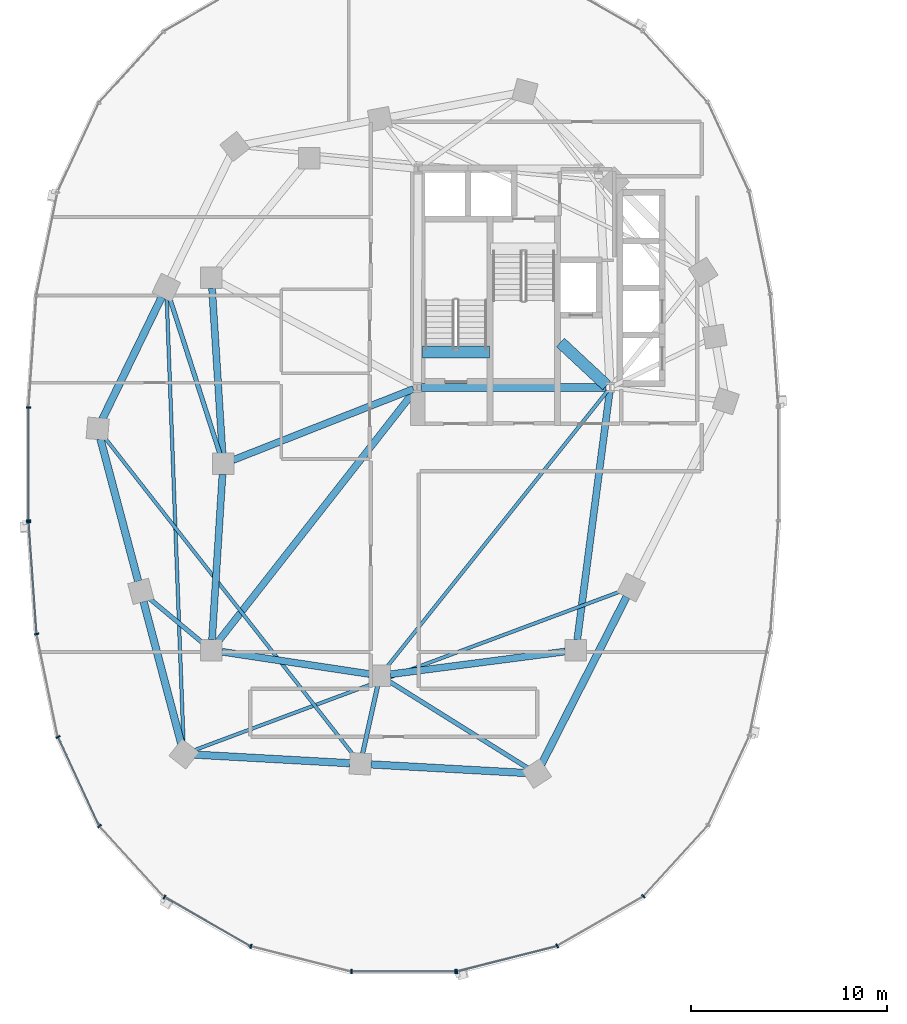
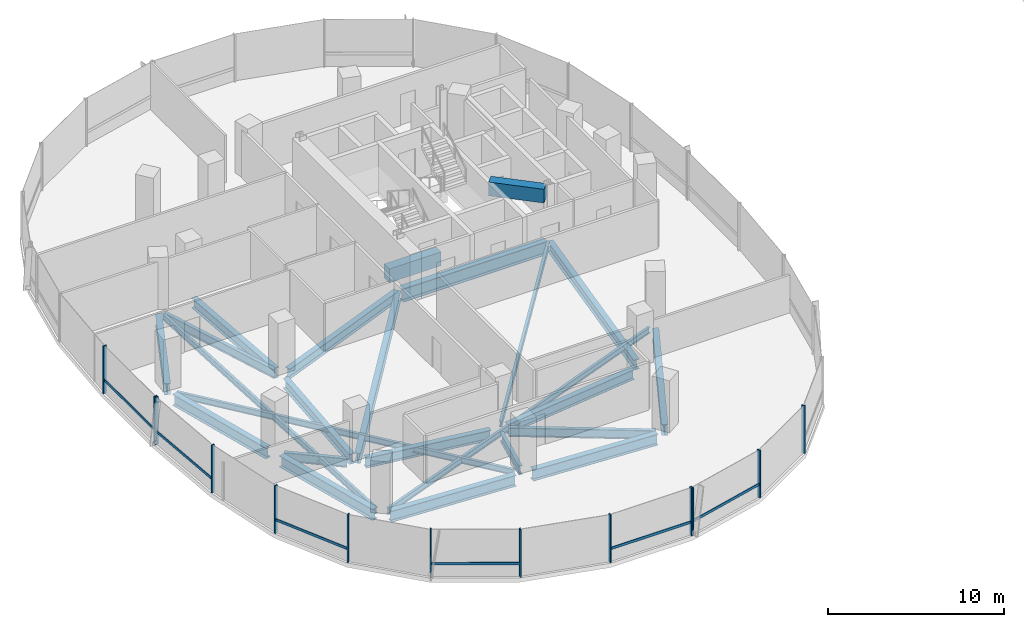
# One storey, part 2 of 21: 24 beams, 19 members, 3 elements without a shape of their own.
"""IFC4 building model written with IfcOpenShell, lengths in metres."""

from ifc_helpers import new_model, si_unit, direction, frame, origin, origin_2d, place, context, subcontext, project, spatial, rectangle, i_section, extrude, material, material_profile, profile_set, type_object, element, aggregate, save


model = new_model("IFC4")

# Units and contexts
model_context = context("Model", 3, precision=1e-05, world=origin(), true_north=direction((0.0, 1.0)))
body_context = subcontext(model_context, "Body", "Model", "MODEL_VIEW")
ifc_project = project(units=[si_unit("LENGTHUNIT", "METRE"), si_unit("AREAUNIT", "SQUARE_METRE"), si_unit("VOLUMEUNIT", "CUBIC_METRE"), si_unit("PLANEANGLEUNIT", "RADIAN"), si_unit("MASSUNIT", "GRAM", prefix="KILO"), si_unit("THERMODYNAMICTEMPERATUREUNIT", "KELVIN"), si_unit("POWERUNIT", "WATT")], contexts=[model_context])

# Site, building, storey
site_placement = place(None, origin())
site = spatial("IfcSite", under=ifc_project, at=site_placement, CompositionType="ELEMENT")
building_placement = place(site_placement, origin())
building = spatial("IfcBuilding", under=site, at=building_placement, Name="Cundina Bronze Exchange", CompositionType="ELEMENT")
storey_placement = place(building_placement, frame((0.0, 0.0, 110.60009765625)))
storey = spatial("IfcBuildingStorey", under=building, at=storey_placement, Name="L28", CompositionType="ELEMENT", Elevation=110.60009765625)

# Beams
ifc_material_1 = material(Name="Concrete C60/75", Category="concrete")
ifc_material_profile_1 = material_profile(ifc_material_1, rectangle(XDim=0.60009765625, YDim=0.949951171875, at=origin_2d()), Name="RC600X950", Category="concrete")
ifc_profile_set_1 = profile_set([ifc_material_profile_1], Name="Concrete C60/75")
beam_type_1 = type_object("IfcBeamType", Name="BM-COUP-RC950", PredefinedType="LINTEL", material=ifc_profile_set_1)
beam_1_placement = place(storey_placement, frame((-31.02001953125, 5.719970703125, -0.47509765625), z_axis=(1.0, 0.0, 0.0), x_axis=(0.0, 1.0, 0.0)))
element("IfcBeam", 1, at=beam_1_placement, inside=storey, type_object=beam_type_1, Name="L28 Stair W1 Landing Header Beam", PredefinedType="LINTEL", context=body_context, shape_type="SweptSolid", body=[
    extrude(rectangle(XDim=0.60009765625, YDim=0.949951171875, at=origin_2d()), origin(), (0.0, 0.0, 1.0), 3.39990234375),
])
beam_2_placement = place(storey_placement, frame((-23.989990234375, 6.199951171875, 2.824951171875), z_axis=(0.731490439815, -0.681851696822, 0.0), x_axis=(0.681851696822, 0.731490439815, 0.0)))
element("IfcBeam", 2, at=beam_2_placement, inside=storey, type_object=beam_type_1, Name="L28 W Core Shear Coupling Lintel Beam", PredefinedType="LINTEL", context=body_context, shape_type="SweptSolid", body=[
    extrude(rectangle(XDim=0.60009765625, YDim=0.949951171875, at=origin_2d()), origin(), (0.0, 0.0, 1.0), 3.226318359375),
])
ifc_material_2 = material(Name="Steel ASTM A992 Grade 50", Category="steel")
ifc_material_profile_2 = material_profile(ifc_material_2, i_section(OverallWidth=0.22998046875, OverallDepth=0.616943359375, WebThickness=0.01318359375, FlangeThickness=0.022216796875, FilletRadius=0.013916015625, at=origin_2d()), Name="W24X94", Category="steel")
ifc_profile_set_2 = profile_set([ifc_material_profile_2], Name="Steel ASTM A992 Grade 50")
beam_type_2 = type_object("IfcBeamType", Name="BM-FLR-W24B", PredefinedType="BEAM", material=ifc_profile_set_2)
beam_3_placement = place(storey_placement, frame((-41.364990234375, 0.51220703125, -0.608642578125), z_axis=(-0.306710777581, 0.951802762612, 0.0), x_axis=(-0.951802762612, -0.306710777581, 0.0)))
element("IfcBeam", 3, at=beam_3_placement, inside=storey, type_object=beam_type_2, Name="L28 Leg W Radial Floor Beam 07", PredefinedType="BEAM", context=body_context, shape_type="SweptSolid", body=[
    extrude(i_section(OverallWidth=0.22998046875, OverallDepth=0.616943359375, WebThickness=0.01318359375, FlangeThickness=0.022216796875, FilletRadius=0.013916015625, at=origin_2d()), origin(), (0.0, 0.0, 1.0), 8.37939453125),
])
beam_4_placement = place(storey_placement, frame((-42.21337890625, -9.155517578125, -0.608642578125), z_axis=(-0.768243451945, 0.640157791911, 0.0), x_axis=(-0.640157791911, -0.768243451945, 0.0)))
element("IfcBeam", 4, at=beam_4_placement, inside=storey, type_object=beam_type_2, Name="L28 Leg W Radial Floor Beam 09", PredefinedType="BEAM", context=body_context, shape_type="SweptSolid", body=[
    extrude(i_section(OverallWidth=0.22998046875, OverallDepth=0.616943359375, WebThickness=0.01318359375, FlangeThickness=0.022216796875, FilletRadius=0.013916015625, at=origin_2d()), origin(), (0.0, 0.0, 1.0), 3.610107421875),
])
beam_5_placement = place(storey_placement, frame((-33.316650390625, -11.3251953125, -0.608642578125), z_axis=(-0.216930457819, -0.976187060184, 0.0), x_axis=(0.976187060184, -0.216930457819, 0.0)))
element("IfcBeam", 5, at=beam_5_placement, inside=storey, type_object=beam_type_2, Name="L28 Leg W Radial Floor Beam 11", PredefinedType="BEAM", context=body_context, shape_type="SweptSolid", body=[
    extrude(i_section(OverallWidth=0.22998046875, OverallDepth=0.616943359375, WebThickness=0.01318359375, FlangeThickness=0.022216796875, FilletRadius=0.013916015625, at=origin_2d()), origin(), (0.0, 0.0, 1.0), 3.533935546875),
])
beam_6_placement = place(storey_placement, frame((-32.743896484375, -11.085205078125, -0.608642578125), z_axis=(0.848003227047, -0.529991063055, 0.0), x_axis=(0.529991063055, 0.848003227047, 0.0)))
element("IfcBeam", 6, at=beam_6_placement, inside=storey, type_object=beam_type_2, Name="L28 Leg W Radial Floor Beam 12", PredefinedType="BEAM", context=body_context, shape_type="SweptSolid", body=[
    extrude(i_section(OverallWidth=0.22998046875, OverallDepth=0.616943359375, WebThickness=0.01318359375, FlangeThickness=0.022216796875, FilletRadius=0.013916015625, at=origin_2d()), origin(), (0.0, 0.0, 1.0), 8.358154296875),
])
ifc_material_profile_3 = material_profile(ifc_material_2, i_section(OverallWidth=0.178955078125, OverallDepth=0.409912109375, WebThickness=0.0087890625, FlangeThickness=0.014404296875, FilletRadius=0.010986328125, at=origin_2d()), Name="W16X45", Category="steel")
ifc_profile_set_3 = profile_set([ifc_material_profile_3], Name="Steel ASTM A992 Grade 50")
beam_type_3 = type_object("IfcBeamType", Name="BM-JST-W16", PredefinedType="JOIST", material=ifc_profile_set_3)
beam_7_placement = place(storey_placement, frame((-21.577392578125, 3.740478515625, -0.505126953125), z_axis=(-0.62436887964, -0.781129632095, 0.0), x_axis=(0.781129632095, -0.62436887964, 0.0)))
element("IfcBeam", 7, at=beam_7_placement, inside=storey, type_object=beam_type_3, Name="L28 W Interior Core-to-Ring Joist 2", PredefinedType="JOIST", context=body_context, shape_type="SweptSolid", body=[
    extrude(i_section(OverallWidth=0.178955078125, OverallDepth=0.409912109375, WebThickness=0.0087890625, FlangeThickness=0.014404296875, FilletRadius=0.010986328125, at=origin_2d()), origin(), (0.0, 0.0, 1.0), 18.076904296875),
])
beam_8_placement = place(storey_placement, frame((-44.07958984375, 8.46240234375, -0.505126953125), z_axis=(0.03778951385, -0.999285721224, 0.0), x_axis=(0.999285721224, 0.03778951385, 0.0)))
element("IfcBeam", 8, at=beam_8_placement, inside=storey, type_object=beam_type_3, Name="L28 Leg W Lobe Floor Joist 07-10", PredefinedType="JOIST", context=body_context, shape_type="SweptSolid", body=[
    extrude(i_section(OverallWidth=0.178955078125, OverallDepth=0.409912109375, WebThickness=0.0087890625, FlangeThickness=0.014404296875, FilletRadius=0.010986328125, at=origin_2d()), origin(), (0.0, 0.0, 1.0), 22.7412109375),
])
beam_9_placement = place(storey_placement, frame((-47.268310546875, 1.37646484375, -0.505126953125), z_axis=(0.616815348306, -0.787107887201, 0.0), x_axis=(0.787107887201, 0.616815348306, 0.0)))
element("IfcBeam", 9, at=beam_9_placement, inside=storey, type_object=beam_type_3, Name="L28 Leg W Lobe Floor Joist 08-11", PredefinedType="JOIST", context=body_context, shape_type="SweptSolid", body=[
    extrude(i_section(OverallWidth=0.178955078125, OverallDepth=0.409912109375, WebThickness=0.0087890625, FlangeThickness=0.014404296875, FilletRadius=0.010986328125, at=origin_2d()), origin(), (0.0, 0.0, 1.0), 20.64892578125),
])
beam_10_placement = place(storey_placement, frame((-42.69580078125, -14.6123046875, -0.505126953125), z_axis=(0.937127917421, 0.348986054721, 0.0), x_axis=(-0.348986054721, 0.937127917421, 0.0)))
element("IfcBeam", 10, at=beam_10_placement, inside=storey, type_object=beam_type_3, Name="L28 Leg W Lobe Floor Joist 10-13", PredefinedType="JOIST", context=body_context, shape_type="SweptSolid", body=[
    extrude(i_section(OverallWidth=0.178955078125, OverallDepth=0.409912109375, WebThickness=0.0087890625, FlangeThickness=0.014404296875, FilletRadius=0.010986328125, at=origin_2d()), origin(), (0.0, 0.0, 1.0), 23.2802734375),
])
ifc_material_profile_4 = material_profile(ifc_material_2, i_section(OverallWidth=0.35498046875, OverallDepth=0.695068359375, WebThickness=0.015380859375, FlangeThickness=0.02490234375, FilletRadius=0.01806640625, at=origin_2d()), Name="W27X146", Category="steel")
ifc_profile_set_4 = profile_set([ifc_material_profile_4], Name="Steel ASTM A992 Grade 50")
beam_type_4 = type_object("IfcBeamType", Name="BM-RING-W27", PredefinedType="USERDEFINED", material=ifc_profile_set_4)
for number, where, z_axis, x_axis, name in (
    (11, (-41.76611328125, 8.963134765625, -0.647705078125), (0.06303715519, -0.998011180832, 0.0), (0.998011180832, 0.06303715519, 0.0), "L28 W Inner Structural Ring Girder 03"),
    (12, (-41.23388671875, -0.536865234375, -0.647705078125), (-0.06303715519, -0.998011180832, 0.0), (0.998011180832, -0.06303715519, 0.0), "L28 W Inner Structural Ring Girder 04"),
):
    element("IfcBeam", number, at=place(storey_placement, frame(where, z_axis=z_axis, x_axis=x_axis)), inside=storey, type_object=beam_type_4, Name=name, ObjectType="GIRDER", PredefinedType="USERDEFINED", context=body_context, shape_type="SweptSolid", body=[
        extrude(i_section(OverallWidth=0.35498046875, OverallDepth=0.695068359375, WebThickness=0.015380859375, FlangeThickness=0.02490234375, FilletRadius=0.01806640625, at=origin_2d()), origin(), (0.0, 0.0, 1.0), 8.443115234375),
    ])
beam_11_placement = place(storey_placement, frame((-41.26806640625, -9.580322265625, -0.647705078125), z_axis=(0.988767489563, -0.149461873341, 0.0), x_axis=(0.149461873341, 0.988767489563, 0.0)))
element("IfcBeam", 13, at=beam_11_placement, inside=storey, type_object=beam_type_4, Name="L28 W Inner Structural Ring Girder 05", ObjectType="GIRDER", PredefinedType="USERDEFINED", context=body_context, shape_type="SweptSolid", body=[
    extrude(i_section(OverallWidth=0.35498046875, OverallDepth=0.695068359375, WebThickness=0.015380859375, FlangeThickness=0.02490234375, FilletRadius=0.01806640625, at=origin_2d()), origin(), (0.0, 0.0, 1.0), 7.621826171875),
])
beam_12_placement = place(storey_placement, frame((-32.66650390625, -10.730712890625, -0.647705078125), z_axis=(0.991654577907, 0.128923225666, 0.0), x_axis=(-0.128923225666, 0.991654577907, 0.0)))
element("IfcBeam", 14, at=beam_12_placement, inside=storey, type_object=beam_type_4, Name="L28 W Inner Structural Ring Girder 06", ObjectType="GIRDER", PredefinedType="USERDEFINED", context=body_context, shape_type="SweptSolid", body=[
    extrude(i_section(OverallWidth=0.35498046875, OverallDepth=0.695068359375, WebThickness=0.015380859375, FlangeThickness=0.02490234375, FilletRadius=0.01806640625, at=origin_2d()), origin(), (0.0, 0.0, 1.0), 9.00830078125),
])
beam_13_placement = place(storey_placement, frame((-23.13037109375, -8.966552734375, -0.647705078125), z_axis=(0.129507526533, 0.99157843894, 0.0), x_axis=(-0.99157843894, 0.129507526533, 0.0)))
element("IfcBeam", 15, at=beam_13_placement, inside=storey, type_object=beam_type_4, Name="L28 W Inner Structural Ring Girder 07", ObjectType="GIRDER", PredefinedType="USERDEFINED", context=body_context, shape_type="SweptSolid", body=[
    extrude(i_section(OverallWidth=0.35498046875, OverallDepth=0.695068359375, WebThickness=0.015380859375, FlangeThickness=0.02490234375, FilletRadius=0.01806640625, at=origin_2d()), origin(), (0.0, 0.0, 1.0), 12.77197265625),
])
beam_14_placement = place(storey_placement, frame((-31.48974609375, 3.8251953125, -0.647705078125), z_axis=(-0.930413235418, -0.366512225388, 0.0), x_axis=(0.366512225388, -0.930413235418, 0.0)))
element("IfcBeam", 16, at=beam_14_placement, inside=storey, type_object=beam_type_4, Name="L28 W Core-to-Waist Tie Beam 1", ObjectType="GIRDER", PredefinedType="USERDEFINED", context=body_context, shape_type="SweptSolid", body=[
    extrude(i_section(OverallWidth=0.35498046875, OverallDepth=0.695068359375, WebThickness=0.015380859375, FlangeThickness=0.02490234375, FilletRadius=0.01806640625, at=origin_2d()), origin(), (0.0, 0.0, 1.0), 9.8984375),
])
beam_15_placement = place(storey_placement, frame((-31.42578125, 3.739501953125, -0.647705078125), z_axis=(-0.616789275748, -0.787128318206, 0.0), x_axis=(0.787128318206, -0.616789275748, 0.0)))
element("IfcBeam", 17, at=beam_15_placement, inside=storey, type_object=beam_type_4, Name="L28 W Core-to-Waist Tie Beam 3", ObjectType="GIRDER", PredefinedType="USERDEFINED", context=body_context, shape_type="SweptSolid", body=[
    extrude(i_section(OverallWidth=0.35498046875, OverallDepth=0.695068359375, WebThickness=0.015380859375, FlangeThickness=0.02490234375, FilletRadius=0.01806640625, at=origin_2d()), origin(), (0.0, 0.0, 1.0), 16.281982421875),
])
ifc_material_profile_5 = material_profile(ifc_material_2, i_section(OverallWidth=0.381103515625, OverallDepth=0.77294921875, WebThickness=0.0166015625, FlangeThickness=0.027099609375, FilletRadius=0.01904296875, at=origin_2d()), Name="W30X173", Category="steel")
ifc_profile_set_5 = profile_set([ifc_material_profile_5], Name="Steel ASTM A992 Grade 50")
beam_type_5 = type_object("IfcBeamType", Name="BM-RING-W30", PredefinedType="USERDEFINED", material=ifc_profile_set_5)
beam_16_placement = place(storey_placement, frame((-44.335205078125, 8.51611328125, -0.6865234375), z_axis=(-0.437193894283, -0.899367276924, 0.0), x_axis=(0.899367276924, -0.437193894283, 0.0)))
element("IfcBeam", 18, at=beam_16_placement, inside=storey, type_object=beam_type_5, Name="L28 W Perimeter Ring Girder 07", ObjectType="GIRDER", PredefinedType="USERDEFINED", context=body_context, shape_type="SweptSolid", body=[
    extrude(i_section(OverallWidth=0.381103515625, OverallDepth=0.77294921875, WebThickness=0.0166015625, FlangeThickness=0.027099609375, FilletRadius=0.01904296875, at=origin_2d()), origin(), (0.0, 0.0, 1.0), 6.929443359375),
])
for number, where, z_axis, x_axis, name in (
    (19, (-47.462158203125, 1.280029296875, -0.6865234375), (0.256209719931, -0.966621218168, 0.0), (0.966621218168, 0.256209719931, 0.0), "L28 W Perimeter Ring Girder 08"),
    (20, (-45.26220703125, -7.02001953125, -0.6865234375), (0.256209719931, -0.966621218168, 0.0), (0.966621218168, 0.256209719931, 0.0), "L28 W Perimeter Ring Girder 09"),
):
    element("IfcBeam", number, at=place(storey_placement, frame(where, z_axis=z_axis, x_axis=x_axis)), inside=storey, type_object=beam_type_5, Name=name, ObjectType="GIRDER", PredefinedType="USERDEFINED", context=body_context, shape_type="SweptSolid", body=[
        extrude(i_section(OverallWidth=0.381103515625, OverallDepth=0.77294921875, WebThickness=0.0166015625, FlangeThickness=0.027099609375, FilletRadius=0.01904296875, at=origin_2d()), origin(), (0.0, 0.0, 1.0), 7.5107421875),
    ])
for number, where, z_axis, x_axis, name in (
    (21, (-42.662841796875, -14.829833984375, -0.6865234375), (0.99845950136, -0.055485350721, 0.0), (0.055485350721, 0.99845950136, 0.0), "L28 W Perimeter Ring Girder 10"),
    (22, (-33.662841796875, -15.329833984375, -0.6865234375), (0.99845950136, -0.055485350721, 0.0), (0.055485350721, 0.99845950136, 0.0), "L28 W Perimeter Ring Girder 11"),
):
    element("IfcBeam", number, at=place(storey_placement, frame(where, z_axis=z_axis, x_axis=x_axis)), inside=storey, type_object=beam_type_5, Name=name, ObjectType="GIRDER", PredefinedType="USERDEFINED", context=body_context, shape_type="SweptSolid", body=[
        extrude(i_section(OverallWidth=0.381103515625, OverallDepth=0.77294921875, WebThickness=0.0166015625, FlangeThickness=0.027099609375, FilletRadius=0.01904296875, at=origin_2d()), origin(), (0.0, 0.0, 1.0), 7.937744140625),
    ])
beam_17_placement = place(storey_placement, frame((-24.956298828125, -15.3203125, -0.6865234375), z_axis=(0.452832332744, 0.891595692241, 0.0), x_axis=(-0.891595692241, 0.452832332744, 0.0)))
element("IfcBeam", 23, at=beam_17_placement, inside=storey, type_object=beam_type_5, Name="L28 W Perimeter Ring Girder 12", ObjectType="GIRDER", PredefinedType="USERDEFINED", context=body_context, shape_type="SweptSolid", body=[
    extrude(i_section(OverallWidth=0.381103515625, OverallDepth=0.77294921875, WebThickness=0.0166015625, FlangeThickness=0.027099609375, FilletRadius=0.01904296875, at=origin_2d()), origin(), (0.0, 0.0, 1.0), 9.578857421875),
])
ifc_material_profile_6 = material_profile(ifc_material_2, i_section(OverallWidth=0.41796875, OverallDepth=0.927001953125, WebThickness=0.019287109375, FlangeThickness=0.031982421875, FilletRadius=0.02392578125, at=origin_2d()), Name="W36X231", Category="steel")
ifc_profile_set_6 = profile_set([ifc_material_profile_6], Name="Steel ASTM A992 Grade 50")
beam_type_6 = type_object("IfcBeamType", Name="BM-WRN-W36B", PredefinedType="USERDEFINED", material=ifc_profile_set_6)
beam_18_placement = place(storey_placement, frame((-31.095947265625, 3.89990234375, -0.763671875), z_axis=(1.0, 0.0, 0.0), x_axis=(0.0, 1.0, 0.0)))
element("IfcBeam", 24, at=beam_18_placement, inside=storey, type_object=beam_type_6, Name="L28 W Core Perimeter Tie Girder 1", ObjectType="GIRDER", PredefinedType="USERDEFINED", context=body_context, shape_type="SweptSolid", body=[
    extrude(i_section(OverallWidth=0.41796875, OverallDepth=0.927001953125, WebThickness=0.019287109375, FlangeThickness=0.031982421875, FilletRadius=0.02392578125, at=origin_2d()), origin(), (0.0, 0.0, 1.0), 9.44189453125),
])

# Curtain wall, members
ifc_material_3 = material(Name="Anodised Bronze Aluminium 6063-T6", Category="aluminium")
curtain_wall_type = type_object("IfcCurtainWallType", Name="CWS-TRD-MID", PredefinedType="NOTDEFINED", material=ifc_material_3)
curtain_wall_1_placement = place(storey_placement, origin())
curtain_wall_1 = element("IfcCurtainWall", 25, at=curtain_wall_1_placement, inside=storey, type_object=curtain_wall_type, Name="L28 CW-03 Curtain Wall Run CWR-L28-W2", PredefinedType="NOTDEFINED")
ifc_material_profile_7 = material_profile(ifc_material_3, rectangle(XDim=0.074951171875, YDim=0.219970703125, at=origin_2d()), Name="AL75X220", Category="aluminium")
ifc_profile_set_7 = profile_set([ifc_material_profile_7], Name="Anodised Bronze Aluminium 6063-T6")
member_type_1 = type_object("IfcMemberType", Name="CWM-MUL-220", PredefinedType="MULLION", material=ifc_profile_set_7)
member_1_placement = place(storey_placement, frame((-51.1279296875, 2.880615234375, 0.0), z_axis=(0.0, 0.0, 1.0), x_axis=(0.0, -1.0, 0.0)))
member_1 = element("IfcMember", 26, at=member_1_placement, type_object=member_type_1, Name="CW-03 Mullion 7", PredefinedType="MULLION", context=body_context, shape_type="SweptSolid", body=[
    extrude(rectangle(XDim=0.074951171875, YDim=0.219970703125, at=origin_2d()), origin(), (0.0, 0.0, 1.0), 3.2998046875),
])
member_2_placement = place(storey_placement, frame((-51.1279296875, -2.880615234375, 0.0), z_axis=(0.0, 0.0, 1.0), x_axis=(0.0, -1.0, 0.0)))
member_2 = element("IfcMember", 27, at=member_2_placement, type_object=member_type_1, Name="CW-03 End Mullion", PredefinedType="MULLION", context=body_context, shape_type="SweptSolid", body=[
    extrude(rectangle(XDim=0.074951171875, YDim=0.219970703125, at=origin_2d()), origin(), (0.0, 0.0, 1.0), 3.2998046875),
])

curtain_wall_2_placement = place(storey_placement, origin())
curtain_wall_2 = element("IfcCurtainWall", 28, at=curtain_wall_2_placement, inside=storey, type_object=curtain_wall_type, Name="L28 CW-03 Curtain Wall Run CWR-L28-W3", PredefinedType="NOTDEFINED")
member_3_placement = place(storey_placement, frame((-51.12451171875, -2.976318359375, 0.0), z_axis=(0.0, 0.0, 1.0), x_axis=(0.070278787473, -0.997527389113, 0.0)))
member_3 = element("IfcMember", 29, at=member_3_placement, type_object=member_type_1, Name="CW-03 Mullion 1", PredefinedType="MULLION", context=body_context, shape_type="SweptSolid", body=[
    extrude(rectangle(XDim=0.074951171875, YDim=0.219970703125, at=origin_2d()), origin(), (0.0, 0.0, 1.0), 3.2998046875),
])
member_4_placement = place(storey_placement, frame((-50.717041015625, -8.67822265625, 0.0), z_axis=(0.0, 0.0, 1.0), x_axis=(0.201419845156, -0.979505000486, 0.0)))
member_4 = element("IfcMember", 30, at=member_4_placement, type_object=member_type_1, Name="CW-03 Mullion 2", PredefinedType="MULLION", context=body_context, shape_type="SweptSolid", body=[
    extrude(rectangle(XDim=0.074951171875, YDim=0.219970703125, at=origin_2d()), origin(), (0.0, 0.0, 1.0), 3.2998046875),
])
member_5_placement = place(storey_placement, frame((-49.6279296875, -13.931884765625, 0.0), z_axis=(0.0, 0.0, 1.0), x_axis=(0.42087749791, -0.907117485088, 0.0)))
member_5 = element("IfcMember", 31, at=member_5_placement, type_object=member_type_1, Name="CW-03 Mullion 3", PredefinedType="MULLION", context=body_context, shape_type="SweptSolid", body=[
    extrude(rectangle(XDim=0.074951171875, YDim=0.219970703125, at=origin_2d()), origin(), (0.0, 0.0, 1.0), 3.2998046875),
])
member_6_placement = place(storey_placement, frame((-47.508544921875, -18.47705078125, 0.0), z_axis=(0.0, 0.0, 1.0), x_axis=(0.674302387584, -0.738455340626, 0.0)))
member_6 = element("IfcMember", 32, at=member_6_placement, type_object=member_type_1, Name="CW-03 Mullion 4", PredefinedType="MULLION", context=body_context, shape_type="SweptSolid", body=[
    extrude(rectangle(XDim=0.074951171875, YDim=0.219970703125, at=origin_2d()), origin(), (0.0, 0.0, 1.0), 3.2998046875),
])
member_7_placement = place(storey_placement, frame((-44.189697265625, -22.097412109375, 0.0), z_axis=(0.0, 0.0, 1.0), x_axis=(0.867070701164, -0.498185105339, 0.0)))
member_7 = element("IfcMember", 33, at=member_7_placement, type_object=member_type_1, Name="CW-03 Mullion 5", PredefinedType="MULLION", context=body_context, shape_type="SweptSolid", body=[
    extrude(rectangle(XDim=0.074951171875, YDim=0.219970703125, at=origin_2d()), origin(), (0.0, 0.0, 1.0), 3.2998046875),
])
member_8_placement = place(storey_placement, frame((-39.78515625, -24.61669921875, 0.0), z_axis=(0.0, 0.0, 1.0), x_axis=(0.969488149345, -0.245138182011, 0.0)))
member_8 = element("IfcMember", 34, at=member_8_placement, type_object=member_type_1, Name="CW-03 Mullion 6", PredefinedType="MULLION", context=body_context, shape_type="SweptSolid", body=[
    extrude(rectangle(XDim=0.074951171875, YDim=0.219970703125, at=origin_2d()), origin(), (0.0, 0.0, 1.0), 3.2998046875),
])
member_9_placement = place(storey_placement, frame((-34.654541015625, -25.905029296875, 0.0), z_axis=(0.0, 0.0, 1.0), x_axis=(1.0, 0.0, 0.0)))
member_9 = element("IfcMember", 35, at=member_9_placement, type_object=member_type_1, Name="CW-03 Mullion 7", PredefinedType="MULLION", context=body_context, shape_type="SweptSolid", body=[
    extrude(rectangle(XDim=0.074951171875, YDim=0.219970703125, at=origin_2d()), origin(), (0.0, 0.0, 1.0), 3.2998046875),
])
member_10_placement = place(storey_placement, frame((-29.345458984375, -25.905029296875, 0.0), z_axis=(0.0, 0.0, 1.0), x_axis=(1.0, 0.0, 0.0)))
member_10 = element("IfcMember", 36, at=member_10_placement, type_object=member_type_1, Name="CW-03 End Mullion", PredefinedType="MULLION", context=body_context, shape_type="SweptSolid", body=[
    extrude(rectangle(XDim=0.074951171875, YDim=0.219970703125, at=origin_2d()), origin(), (0.0, 0.0, 1.0), 3.2998046875),
])

curtain_wall_3_placement = place(storey_placement, origin())
curtain_wall_3 = element("IfcCurtainWall", 37, at=curtain_wall_3_placement, inside=storey, type_object=curtain_wall_type, Name="L28 CW-03 Curtain Wall Run CWR-L28-W4", PredefinedType="NOTDEFINED")
member_11_placement = place(storey_placement, frame((-29.27392578125, -25.89599609375, 0.0), z_axis=(0.0, 0.0, 1.0), x_axis=(0.969488149345, 0.245138182011, 0.0)))
member_11 = element("IfcMember", 38, at=member_11_placement, type_object=member_type_1, Name="CW-03 Mullion 1", PredefinedType="MULLION", context=body_context, shape_type="SweptSolid", body=[
    extrude(rectangle(XDim=0.074951171875, YDim=0.219970703125, at=origin_2d()), origin(), (0.0, 0.0, 1.0), 3.2998046875),
])
member_12_placement = place(storey_placement, frame((-24.151123046875, -24.591064453125, 0.0), z_axis=(0.0, 0.0, 1.0), x_axis=(0.867070701164, 0.498185105339, 0.0)))
member_12 = element("IfcMember", 39, at=member_12_placement, type_object=member_type_1, Name="CW-03 Mullion 2", PredefinedType="MULLION", context=body_context, shape_type="SweptSolid", body=[
    extrude(rectangle(XDim=0.074951171875, YDim=0.219970703125, at=origin_2d()), origin(), (0.0, 0.0, 1.0), 3.2998046875),
])
member_13_placement = place(storey_placement, frame((-19.760498046875, -22.0576171875, 0.0), z_axis=(0.0, 0.0, 1.0), x_axis=(0.674302387584, 0.738455340626, 0.0)))
member_13 = element("IfcMember", 40, at=member_13_placement, type_object=member_type_1, Name="CW-03 Mullion 3", PredefinedType="MULLION", context=body_context, shape_type="SweptSolid", body=[
    extrude(rectangle(XDim=0.074951171875, YDim=0.219970703125, at=origin_2d()), origin(), (0.0, 0.0, 1.0), 3.2998046875),
])

# Member
ifc_material_profile_8 = material_profile(ifc_material_3, rectangle(XDim=0.070068359375, YDim=0.179931640625, at=origin_2d()), Name="AL70X180", Category="aluminium")
ifc_profile_set_8 = profile_set([ifc_material_profile_8], Name="Anodised Bronze Aluminium 6063-T6")
member_type_2 = type_object("IfcMemberType", Name="CWM-TRN-180", PredefinedType="USERDEFINED", material=ifc_profile_set_8)
member_14_placement = place(storey_placement, frame((-51.1279296875, 2.839111328125, 0.919921875), z_axis=(0.0, -1.0, 0.0), x_axis=(1.0, 0.0, 0.0)))
member_14 = element("IfcMember", 41, at=member_14_placement, type_object=member_type_2, Name="CW-03 Spandrel Transom 7", ObjectType="TRANSOM", PredefinedType="USERDEFINED", context=body_context, shape_type="SweptSolid", body=[
    extrude(rectangle(XDim=0.070068359375, YDim=0.179931640625, at=origin_2d()), origin(), (0.0, 0.0, 1.0), 5.67822265625),
])

aggregate(curtain_wall_1, [member_1, member_2, member_14])

member_15_placement = place(storey_placement, frame((-51.12158203125, -3.017333984375, 0.919921875), z_axis=(0.070260714471, -0.997528662246, 0.0), x_axis=(0.997528662246, 0.070260714471, 0.0)))
member_15 = element("IfcMember", 42, at=member_15_placement, type_object=member_type_2, Name="CW-03 Spandrel Transom 1", ObjectType="TRANSOM", PredefinedType="USERDEFINED", context=body_context, shape_type="SweptSolid", body=[
    extrude(rectangle(XDim=0.070068359375, YDim=0.179931640625, at=origin_2d()), origin(), (0.0, 0.0, 1.0), 5.629150390625),
])

member_16_placement = place(storey_placement, frame((-49.610595703125, -13.96923828125, 0.919921875), z_axis=(0.420811422796, -0.907148139195, 0.0), x_axis=(0.907148139195, 0.420811422796, 0.0)))
member_16 = element("IfcMember", 43, at=member_16_placement, type_object=member_type_2, Name="CW-03 Spandrel Transom 3", ObjectType="TRANSOM", PredefinedType="USERDEFINED", context=body_context, shape_type="SweptSolid", body=[
    extrude(rectangle(XDim=0.070068359375, YDim=0.179931640625, at=origin_2d()), origin(), (0.0, 0.0, 1.0), 4.95166015625),
])

member_17_placement = place(storey_placement, frame((-44.154052734375, -22.117919921875, 0.919921875), z_axis=(0.867097475651, -0.498138502546, 0.0), x_axis=(0.498138502546, 0.867097475651, 0.0)))
member_17 = element("IfcMember", 44, at=member_17_placement, type_object=member_type_2, Name="CW-03 Spandrel Transom 5", ObjectType="TRANSOM", PredefinedType="USERDEFINED", context=body_context, shape_type="SweptSolid", body=[
    extrude(rectangle(XDim=0.070068359375, YDim=0.179931640625, at=origin_2d()), origin(), (0.0, 0.0, 1.0), 5.00634765625),
])

member_18_placement = place(storey_placement, frame((-34.61328125, -25.905029296875, 0.919921875), z_axis=(1.0, 0.0, 0.0), x_axis=(0.0, 1.0, 0.0)))
member_18 = element("IfcMember", 45, at=member_18_placement, type_object=member_type_2, Name="CW-03 Spandrel Transom 7", ObjectType="TRANSOM", PredefinedType="USERDEFINED", context=body_context, shape_type="SweptSolid", body=[
    extrude(rectangle(XDim=0.070068359375, YDim=0.179931640625, at=origin_2d()), origin(), (0.0, 0.0, 1.0), 5.2265625),
])

aggregate(curtain_wall_2, [member_3, member_15, member_4, member_5, member_16, member_6, member_7, member_17, member_8, member_9, member_10, member_18])

member_19_placement = place(storey_placement, frame((-29.23388671875, -25.885986328125, 0.919921875), z_axis=(0.969483968866, 0.245154714644, 0.0), x_axis=(-0.245154714644, 0.969483968866, 0.0)))
member_19 = element("IfcMember", 46, at=member_19_placement, type_object=member_type_2, Name="CW-03 Spandrel Transom 1", ObjectType="TRANSOM", PredefinedType="USERDEFINED", context=body_context, shape_type="SweptSolid", body=[
    extrude(rectangle(XDim=0.070068359375, YDim=0.179931640625, at=origin_2d()), origin(), (0.0, 0.0, 1.0), 5.21826171875),
])

aggregate(curtain_wall_3, [member_11, member_19, member_12, member_13])

save(model, "model.ifc")
